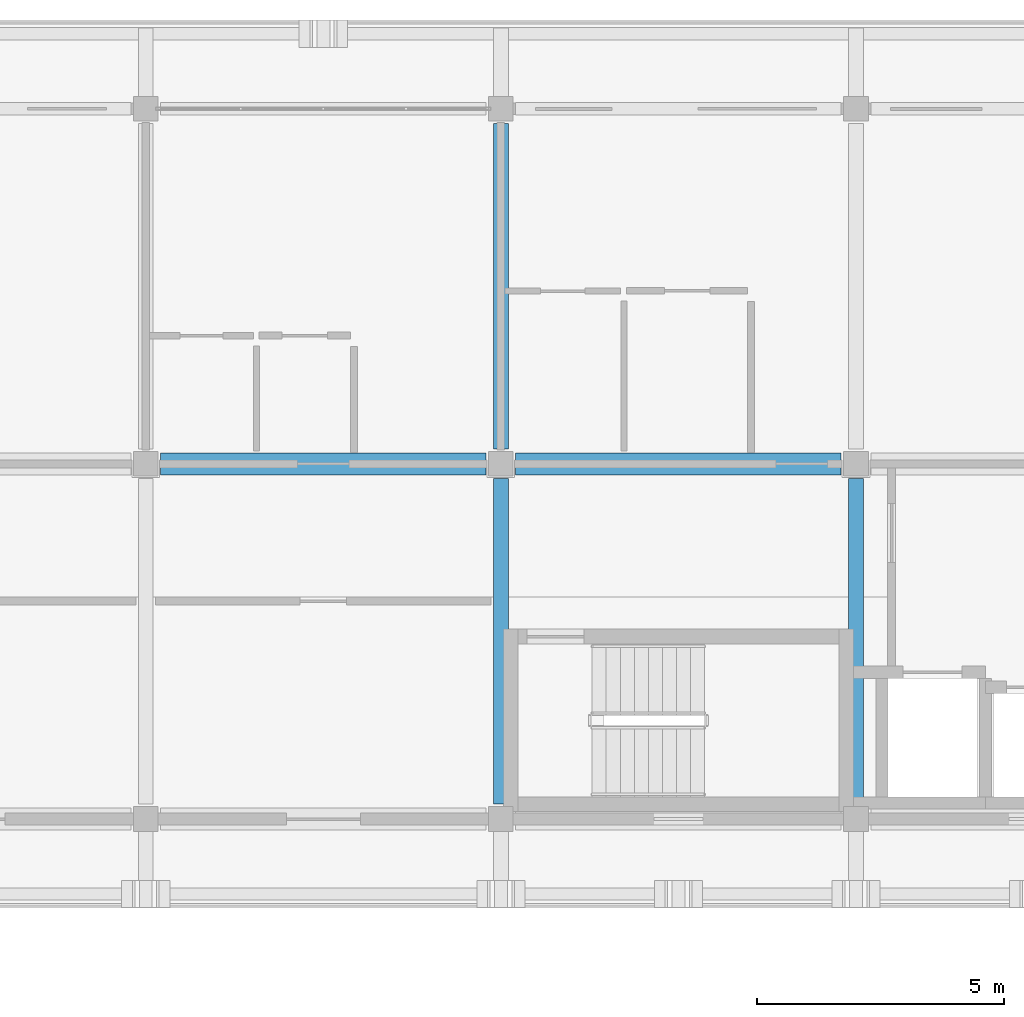
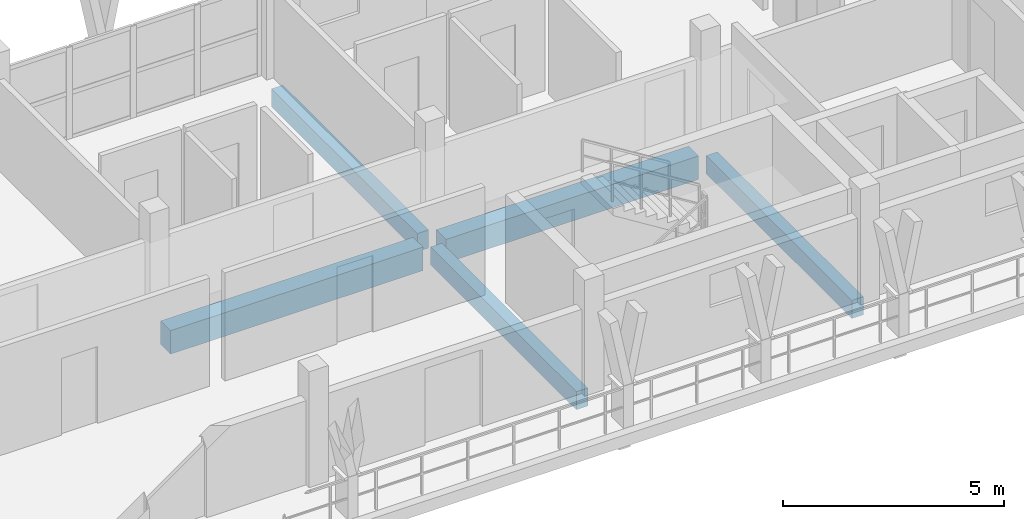
# One storey, part 8 of 45: 5 beams.
"""IFC4 building model written with IfcOpenShell, lengths in metres."""

from ifc_helpers import new_model, si_unit, direction, frame, origin, origin_2d, place, context, subcontext, project, spatial, rectangle, extrude, material, material_profile, profile_set, type_object, element, save


model = new_model("IFC4")

# Units and contexts
model_context = context("Model", 3, precision=1e-05, world=origin(), true_north=direction((0.0, 1.0)))
body_context = subcontext(model_context, "Body", "Model", "MODEL_VIEW")
ifc_project = project(units=[si_unit("LENGTHUNIT", "METRE"), si_unit("AREAUNIT", "SQUARE_METRE"), si_unit("VOLUMEUNIT", "CUBIC_METRE"), si_unit("PLANEANGLEUNIT", "RADIAN"), si_unit("MASSUNIT", "GRAM", prefix="KILO")], contexts=[model_context])

# Site, building, storey
site_placement = place(None, origin())
site = spatial("IfcSite", under=ifc_project, at=site_placement, CompositionType="ELEMENT")
building_placement = place(site_placement, origin())
building = spatial("IfcBuilding", under=site, at=building_placement, Name="Suanplinth Sawtooth Commons", CompositionType="ELEMENT")
storey_placement = place(building_placement, frame((0.0, 0.0, 38.0)))
storey = spatial("IfcBuildingStorey", under=building, at=storey_placement, Name="L11", CompositionType="ELEMENT", Elevation=38.0)

# Beams
ifc_material = material(Name="Precast concrete C40/50", Category="concrete")
ifc_material_profile_1 = material_profile(ifc_material, rectangle(XDim=0.449951171875, YDim=0.64990234375, at=origin_2d()), Name="PC-GDR 450x650")
ifc_profile_set_1 = profile_set([ifc_material_profile_1], Name="Precast concrete C40/50")
beam_type_1 = type_object("IfcBeamType", Name="B-04", PredefinedType="USERDEFINED", material=ifc_profile_set_1)
beam_1_placement = place(storey_placement, frame((36.300048828125, 115.199951171875, -0.56494140625), z_axis=(1.0, 0.0, 0.0), x_axis=(0.0, 1.0, 0.0)))
element("IfcBeam", 1, at=beam_1_placement, inside=storey, type_object=beam_type_1, Name="BMX-L11-A-5-16", ObjectType="GIRDER", PredefinedType="USERDEFINED", context=body_context, shape_type="SweptSolid", body=[
    extrude(rectangle(XDim=0.449951171875, YDim=0.64990234375, at=origin_2d()), origin(), (0.0, 0.0, 1.0), 6.599853515625),
])
beam_2_placement = place(storey_placement, frame((43.5, 115.199951171875, -0.56494140625), z_axis=(1.0, 0.0, 0.0), x_axis=(0.0, 1.0, 0.0)))
element("IfcBeam", 2, at=beam_2_placement, inside=storey, type_object=beam_type_1, Name="BMX-L11-A-6-16", ObjectType="GIRDER", PredefinedType="USERDEFINED", context=body_context, shape_type="SweptSolid", body=[
    extrude(rectangle(XDim=0.449951171875, YDim=0.64990234375, at=origin_2d()), origin(), (0.0, 0.0, 1.0), 6.60009765625),
])
ifc_material_profile_2 = material_profile(ifc_material, rectangle(XDim=0.300048828125, YDim=0.5, at=origin_2d()), Name="PC-BM 300x500")
ifc_profile_set_2 = profile_set([ifc_material_profile_2], Name="Precast concrete C40/50")
beam_type_2 = type_object("IfcBeamType", Name="B-07", PredefinedType="BEAM", material=ifc_profile_set_2)
beam_3_placement = place(storey_placement, frame((43.199951171875, 108.300048828125, -0.489990234375), z_axis=(0.0, 1.0, 0.0), x_axis=(-1.0, 0.0, 0.0)))
element("IfcBeam", 3, at=beam_3_placement, inside=storey, type_object=beam_type_2, Name="BMY-L11-A-6-15", PredefinedType="BEAM", context=body_context, shape_type="SweptSolid", body=[
    extrude(rectangle(XDim=0.300048828125, YDim=0.5, at=origin_2d()), origin(), (0.0, 0.0, 1.0), 6.599853515625),
])
beam_4_placement = place(storey_placement, frame((43.199951171875, 115.5, -0.489990234375), z_axis=(0.0, 1.0, 0.0), x_axis=(-1.0, 0.0, 0.0)))
element("IfcBeam", 4, at=beam_4_placement, inside=storey, type_object=beam_type_2, Name="BMY-L11-A-6-16", PredefinedType="BEAM", context=body_context, shape_type="SweptSolid", body=[
    extrude(rectangle(XDim=0.300048828125, YDim=0.5, at=origin_2d()), origin(), (0.0, 0.0, 1.0), 6.60009765625),
])
beam_5_placement = place(storey_placement, frame((50.39990234375, 108.300048828125, -0.489990234375), z_axis=(0.0, 1.0, 0.0), x_axis=(-1.0, 0.0, 0.0)))
element("IfcBeam", 5, at=beam_5_placement, inside=storey, type_object=beam_type_2, Name="BMY-L11-A-7-15", PredefinedType="BEAM", context=body_context, shape_type="SweptSolid", body=[
    extrude(rectangle(XDim=0.300048828125, YDim=0.5, at=origin_2d()), origin(), (0.0, 0.0, 1.0), 6.599853515625),
])

save(model, "model.ifc")
